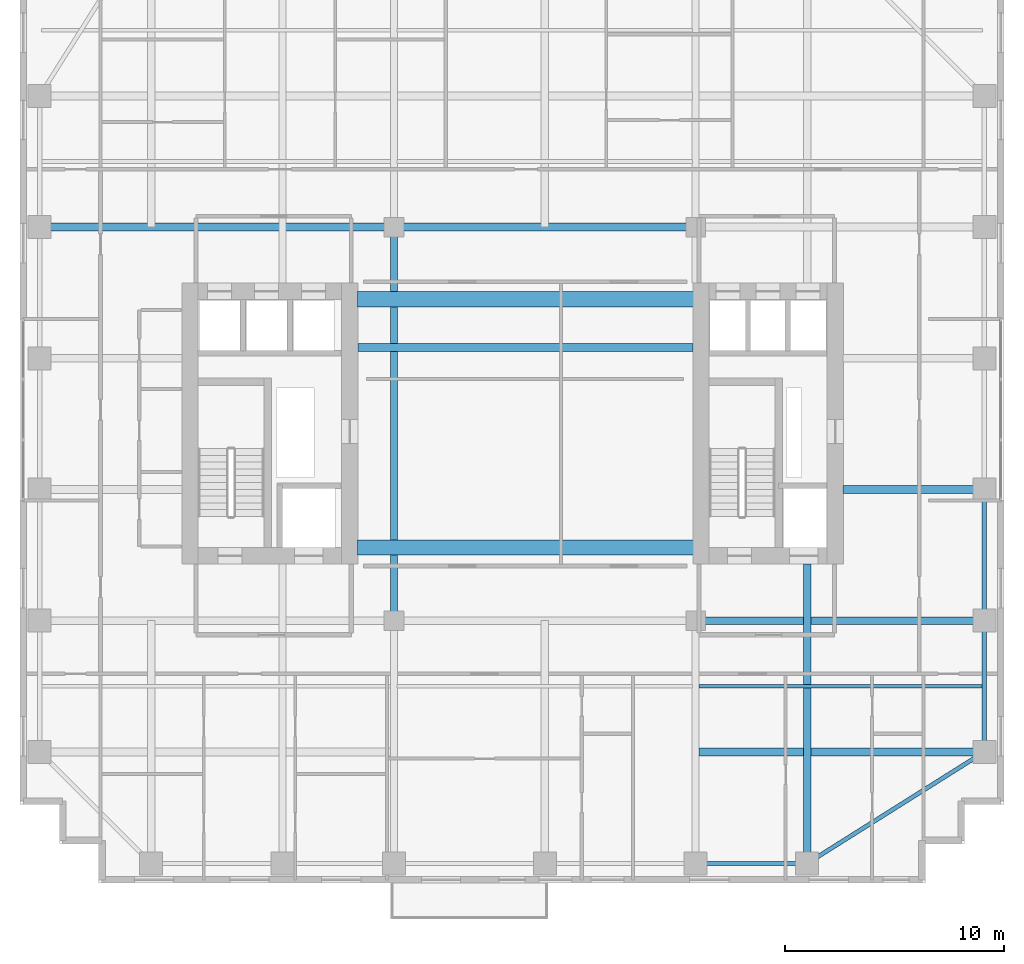
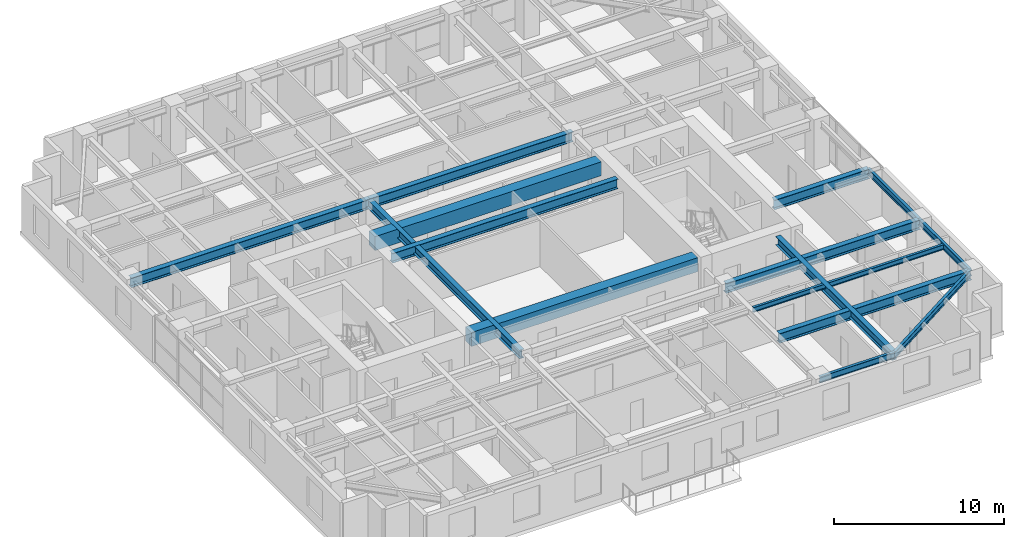
# One storey, part 3 of 13: 15 beams.
"""IFC4 building model written with IfcOpenShell, lengths in metres."""

from ifc_helpers import new_model, si_unit, direction, frame, origin, origin_2d, place, context, subcontext, project, spatial, rectangle, i_section, extrude, source, transform, mapped, material, material_profile, profile_set, type_object, element, save


model = new_model("IFC4")

# Units and contexts
model_context = context("Model", 3, precision=1e-05, world=origin(), true_north=direction((0.0, 1.0)))
body_context = subcontext(model_context, "Body", "Model", "MODEL_VIEW")
ifc_project = project(units=[si_unit("LENGTHUNIT", "METRE"), si_unit("AREAUNIT", "SQUARE_METRE"), si_unit("VOLUMEUNIT", "CUBIC_METRE"), si_unit("PLANEANGLEUNIT", "RADIAN"), si_unit("MASSUNIT", "GRAM", prefix="KILO")], contexts=[model_context])

# Site, building, storey
site_placement = place(None, origin())
site = spatial("IfcSite", under=ifc_project, at=site_placement, CompositionType="ELEMENT")
building_placement = place(site_placement, origin())
building = spatial("IfcBuilding", under=site, at=building_placement, Name="Khoralis Quay Care Tower", CompositionType="ELEMENT")
storey_placement = place(building_placement, frame((0.0, 0.0, 87.300048828125)))
storey = spatial("IfcBuildingStorey", under=building, at=storey_placement, Name="L22", CompositionType="ELEMENT", Elevation=87.300048828125)

# Beams
ifc_material_1 = material(Name="Concrete C80/95", Category="concrete")
ifc_material_profile_1 = material_profile(ifc_material_1, rectangle(XDim=0.699951171875, YDim=1.0, at=origin_2d()), Name="Concrete C80/95")
ifc_profile_set_1 = profile_set([ifc_material_profile_1], Name="Concrete C80/95")
beam_type_1 = type_object("IfcBeamType", Name="CB-RC700X1000", PredefinedType="LINTEL", material=ifc_profile_set_1)
shared_shape_1 = source(origin(), body_context, "Body", "SweptSolid", [
    extrude(rectangle(XDim=0.699951171875, YDim=1.0, at=origin_2d()), origin(), (0.0, 0.0, 1.0), 15.380126953125),
])
for number, where, z_axis, x_axis, name in (
    (1, (15.419921875, 15.35009765625, 2.83984375), (1.0, 0.0, 0.0), (0.0, 1.0, 0.0), "L22 South Core Coupling Lintel"),
    (2, (15.419921875, 26.699951171875, 2.83984375), (1.0, 0.0, 0.0), (0.0, 1.0, 0.0), "L22 North Core Coupling Lintel"),
):
    element("IfcBeam", number, at=place(storey_placement, frame(where, z_axis=z_axis, x_axis=x_axis)), inside=storey, type_object=beam_type_1, Name=name, PredefinedType="LINTEL", context=body_context, shape_type="MappedRepresentation", body=[
        mapped(shared_shape_1, transform((0.0, 0.0, 0.0), scale=1.0)),
    ])
ifc_material_2 = material(Name="Steel S355", Category="steel")
ifc_material_profile_2 = material_profile(ifc_material_2, i_section(OverallWidth=0.18994140625, OverallDepth=0.449951171875, WebThickness=0.009521484375, FlangeThickness=0.0146484375, FilletRadius=0.02099609375, at=origin_2d()), Name="Steel S355")
ifc_profile_set_2 = profile_set([ifc_material_profile_2], Name="Steel S355")
beam_type_2 = type_object("IfcBeamType", Name="BM-IPE450", PredefinedType="SPANDREL", material=ifc_profile_set_2)
shared_shape_2 = source(origin(), body_context, "Body", "SweptSolid", [
    extrude(i_section(OverallWidth=0.18994140625, OverallDepth=0.449951171875, WebThickness=0.009521484375, FlangeThickness=0.0146484375, FilletRadius=0.02099609375, at=origin_2d()), origin(), (0.0, 0.0, 1.0), 6.0),
])
for number, where, z_axis, x_axis, name in (
    (3, (44.10009765625, 6.0, 3.114990234375), (0.0, 1.0, 0.0), (-1.0, 0.0, 0.0), "BM-TSP-L22-16"),
    (4, (44.10009765625, 12.0, 3.114990234375), (0.0, 1.0, 0.0), (-1.0, 0.0, 0.0), "BM-TSP-L22-17"),
):
    element("IfcBeam", number, at=place(storey_placement, frame(where, z_axis=z_axis, x_axis=x_axis)), inside=storey, type_object=beam_type_2, Name=name, PredefinedType="SPANDREL", context=body_context, shape_type="MappedRepresentation", body=[
        mapped(shared_shape_2, transform((0.0, 0.0, 0.0), scale=1.0)),
    ])
shared_shape_3 = source(origin(), body_context, "Body", "SweptSolid", [
    extrude(i_section(OverallWidth=0.18994140625, OverallDepth=0.449951171875, WebThickness=0.009521484375, FlangeThickness=0.0146484375, FilletRadius=0.02099609375, at=origin_2d()), origin(), (0.0, 0.0, 1.0), 5.10009765625),
])
beam_1_placement = place(storey_placement, frame((30.89990234375, 0.89990234375, 3.114990234375), z_axis=(1.0, 0.0, 0.0), x_axis=(0.0, 1.0, 0.0)))
element("IfcBeam", 5, at=beam_1_placement, inside=storey, type_object=beam_type_2, Name="BM-TSP-L22-05", PredefinedType="SPANDREL", context=body_context, shape_type="MappedRepresentation", body=[
    mapped(shared_shape_3, transform((0.0, 0.0, 0.0), scale=1.0)),
])
ifc_material_profile_3 = material_profile(ifc_material_2, i_section(OverallWidth=0.35498046875, OverallDepth=0.695068359375, WebThickness=0.015380859375, FlangeThickness=0.02490234375, FilletRadius=0.02001953125, at=origin_2d()), Name="Steel S355")
ifc_profile_set_3 = profile_set([ifc_material_profile_3], Name="Steel S355")
beam_type_3 = type_object("IfcBeamType", Name="BM-W690X217", PredefinedType="BEAM", material=ifc_profile_set_3)
shared_shape_4 = source(origin(), body_context, "Body", "SweptSolid", [
    extrude(i_section(OverallWidth=0.35498046875, OverallDepth=0.695068359375, WebThickness=0.015380859375, FlangeThickness=0.02490234375, FilletRadius=0.02001953125, at=origin_2d()), origin(), (0.0, 0.0, 1.0), 16.2001953125),
])
beam_2_placement = place(storey_placement, frame((0.89990234375, 30.0, 2.992431640625), z_axis=(1.0, 0.0, 0.0), x_axis=(0.0, 1.0, 0.0)))
element("IfcBeam", 6, at=beam_2_placement, inside=storey, type_object=beam_type_3, Name="BM-TGXW-L22-300", PredefinedType="BEAM", context=body_context, shape_type="MappedRepresentation", body=[
    mapped(shared_shape_4, transform((0.0, 0.0, 0.0), scale=1.0)),
])
shared_shape_5 = source(origin(), body_context, "Body", "SweptSolid", [
    extrude(i_section(OverallWidth=0.35498046875, OverallDepth=0.695068359375, WebThickness=0.015380859375, FlangeThickness=0.02490234375, FilletRadius=0.02001953125, at=origin_2d()), origin(), (0.0, 0.0, 1.0), 13.7998046875),
])
beam_3_placement = place(storey_placement, frame((17.10009765625, 30.0, 2.992431640625), z_axis=(1.0, 0.0, 0.0), x_axis=(0.0, 1.0, 0.0)))
element("IfcBeam", 7, at=beam_3_placement, inside=storey, type_object=beam_type_3, Name="BM-TGCC-L22-300", PredefinedType="BEAM", context=body_context, shape_type="MappedRepresentation", body=[
    mapped(shared_shape_5, transform((0.0, 0.0, 0.0), scale=1.0)),
])
ifc_material_profile_4 = material_profile(ifc_material_2, i_section(OverallWidth=0.324951171875, OverallDepth=0.615966796875, WebThickness=0.013916015625, FlangeThickness=0.021484375, FilletRadius=0.01806640625, at=origin_2d()), Name="Steel S355")
ifc_profile_set_4 = profile_set([ifc_material_profile_4], Name="Steel S355")
beam_type_4 = type_object("IfcBeamType", Name="BM-W610X174", PredefinedType="BEAM", material=ifc_profile_set_4)
shared_shape_6 = source(origin(), body_context, "Body", "SweptSolid", [
    extrude(i_section(OverallWidth=0.324951171875, OverallDepth=0.615966796875, WebThickness=0.013916015625, FlangeThickness=0.021484375, FilletRadius=0.01806640625, at=origin_2d()), origin(), (0.0, 0.0, 1.0), 18.0),
])
beam_4_placement = place(storey_placement, frame((17.10009765625, 12.0, 3.031982421875), z_axis=(0.0, 1.0, 0.0), x_axis=(-1.0, 0.0, 0.0)))
element("IfcBeam", 8, at=beam_4_placement, inside=storey, type_object=beam_type_4, Name="BM-TGSW-L22", PredefinedType="BEAM", context=body_context, shape_type="MappedRepresentation", body=[
    mapped(shared_shape_6, transform((0.0, 0.0, 0.0), scale=1.0)),
])
shared_shape_7 = source(origin(), body_context, "Body", "SweptSolid", [
    extrude(i_section(OverallWidth=0.18994140625, OverallDepth=0.449951171875, WebThickness=0.009521484375, FlangeThickness=0.0146484375, FilletRadius=0.02099609375, at=origin_2d()), origin(), (0.0, 0.0, 1.0), 9.572021484375),
])
beam_5_placement = place(storey_placement, frame((36.0, 0.89990234375, 3.114990234375), z_axis=(0.846231136359, 0.532815975602, 0.0), x_axis=(-0.532815975602, 0.846231136359, 0.0)))
element("IfcBeam", 9, at=beam_5_placement, inside=storey, type_object=beam_type_2, Name="BM-TCR-L22-22", PredefinedType="SPANDREL", context=body_context, shape_type="MappedRepresentation", body=[
    mapped(shared_shape_7, transform((0.0, 0.0, 0.0), scale=1.0)),
])
shared_shape_8 = source(origin(), body_context, "Body", "SweptSolid", [
    extrude(i_section(OverallWidth=0.35498046875, OverallDepth=0.695068359375, WebThickness=0.015380859375, FlangeThickness=0.02490234375, FilletRadius=0.02001953125, at=origin_2d()), origin(), (0.0, 0.0, 1.0), 13.049560546875),
])
beam_6_placement = place(storey_placement, frame((31.050537109375, 6.0, 2.992431640625), z_axis=(1.0, 0.0, 0.0), x_axis=(0.0, 1.0, 0.0)))
element("IfcBeam", 10, at=beam_6_placement, inside=storey, type_object=beam_type_3, Name="BM-TGXE-L22-60", PredefinedType="BEAM", context=body_context, shape_type="MappedRepresentation", body=[
    mapped(shared_shape_8, transform((0.0, 0.0, 0.0), scale=1.0)),
])
shared_shape_9 = source(origin(), body_context, "Body", "SweptSolid", [
    extrude(i_section(OverallWidth=0.35498046875, OverallDepth=0.695068359375, WebThickness=0.015380859375, FlangeThickness=0.02490234375, FilletRadius=0.02001953125, at=origin_2d()), origin(), (0.0, 0.0, 1.0), 13.2001953125),
])
beam_7_placement = place(storey_placement, frame((30.89990234375, 12.0, 2.992431640625), z_axis=(1.0, 0.0, 0.0), x_axis=(0.0, 1.0, 0.0)))
element("IfcBeam", 11, at=beam_7_placement, inside=storey, type_object=beam_type_3, Name="BM-TGXE-L22-120", PredefinedType="BEAM", context=body_context, shape_type="MappedRepresentation", body=[
    mapped(shared_shape_9, transform((0.0, 0.0, 0.0), scale=1.0)),
])
shared_shape_10 = source(origin(), body_context, "Body", "SweptSolid", [
    extrude(i_section(OverallWidth=0.35498046875, OverallDepth=0.695068359375, WebThickness=0.015380859375, FlangeThickness=0.02490234375, FilletRadius=0.02001953125, at=origin_2d()), origin(), (0.0, 0.0, 1.0), 6.4521484375),
])
beam_8_placement = place(storey_placement, frame((37.64794921875, 18.0, 2.992431640625), z_axis=(1.0, 0.0, 0.0), x_axis=(0.0, 1.0, 0.0)))
element("IfcBeam", 12, at=beam_8_placement, inside=storey, type_object=beam_type_3, Name="BM-TGXE-L22-180", PredefinedType="BEAM", context=body_context, shape_type="MappedRepresentation", body=[
    mapped(shared_shape_10, transform((0.0, 0.0, 0.0), scale=1.0)),
])
shared_shape_11 = source(origin(), body_context, "Body", "SweptSolid", [
    extrude(i_section(OverallWidth=0.35498046875, OverallDepth=0.695068359375, WebThickness=0.015380859375, FlangeThickness=0.02490234375, FilletRadius=0.02001953125, at=origin_2d()), origin(), (0.0, 0.0, 1.0), 15.323974609375),
])
beam_9_placement = place(storey_placement, frame((15.447998046875, 24.5, 2.992431640625), z_axis=(1.0, 0.0, 0.0), x_axis=(0.0, 1.0, 0.0)))
element("IfcBeam", 13, at=beam_9_placement, inside=storey, type_object=beam_type_3, Name="BM-TGCC-L22-245", PredefinedType="BEAM", context=body_context, shape_type="MappedRepresentation", body=[
    mapped(shared_shape_11, transform((0.0, 0.0, 0.0), scale=1.0)),
])
shared_shape_12 = source(origin(), body_context, "Body", "SweptSolid", [
    extrude(i_section(OverallWidth=0.324951171875, OverallDepth=0.615966796875, WebThickness=0.013916015625, FlangeThickness=0.021484375, FilletRadius=0.01806640625, at=origin_2d()), origin(), (0.0, 0.0, 1.0), 13.7021484375),
])
beam_10_placement = place(storey_placement, frame((36.0, 0.89990234375, 3.031982421875), z_axis=(0.0, 1.0, 0.0), x_axis=(-1.0, 0.0, 0.0)))
element("IfcBeam", 14, at=beam_10_placement, inside=storey, type_object=beam_type_4, Name="BM-TGYS-L22-360", PredefinedType="BEAM", context=body_context, shape_type="MappedRepresentation", body=[
    mapped(shared_shape_12, transform((0.0, 0.0, 0.0), scale=1.0)),
])
ifc_material_profile_5 = material_profile(ifc_material_2, i_section(OverallWidth=0.1708984375, OverallDepth=0.35498046875, WebThickness=0.007080078125, FlangeThickness=0.01171875, FilletRadius=0.012939453125, at=origin_2d()), Name="Steel S355")
ifc_profile_set_5 = profile_set([ifc_material_profile_5], Name="Steel S355")
beam_type_5 = type_object("IfcBeamType", Name="BM-W360X51", PredefinedType="JOIST", material=ifc_profile_set_5)
shared_shape_13 = source(origin(), body_context, "Body", "SweptSolid", [
    extrude(i_section(OverallWidth=0.1708984375, OverallDepth=0.35498046875, WebThickness=0.007080078125, FlangeThickness=0.01171875, FilletRadius=0.012939453125, at=origin_2d()), origin(), (0.0, 0.0, 1.0), 12.968505859375),
])
beam_11_placement = place(storey_placement, frame((31.050537109375, 9.0, 3.162353515625), z_axis=(1.0, 0.0, 0.0), x_axis=(0.0, 1.0, 0.0)))
element("IfcBeam", 15, at=beam_11_placement, inside=storey, type_object=beam_type_5, Name="BM-TJS-L22-26", PredefinedType="JOIST", context=body_context, shape_type="MappedRepresentation", body=[
    mapped(shared_shape_13, transform((0.0, 0.0, 0.0), scale=1.0)),
])

save(model, "model.ifc")
